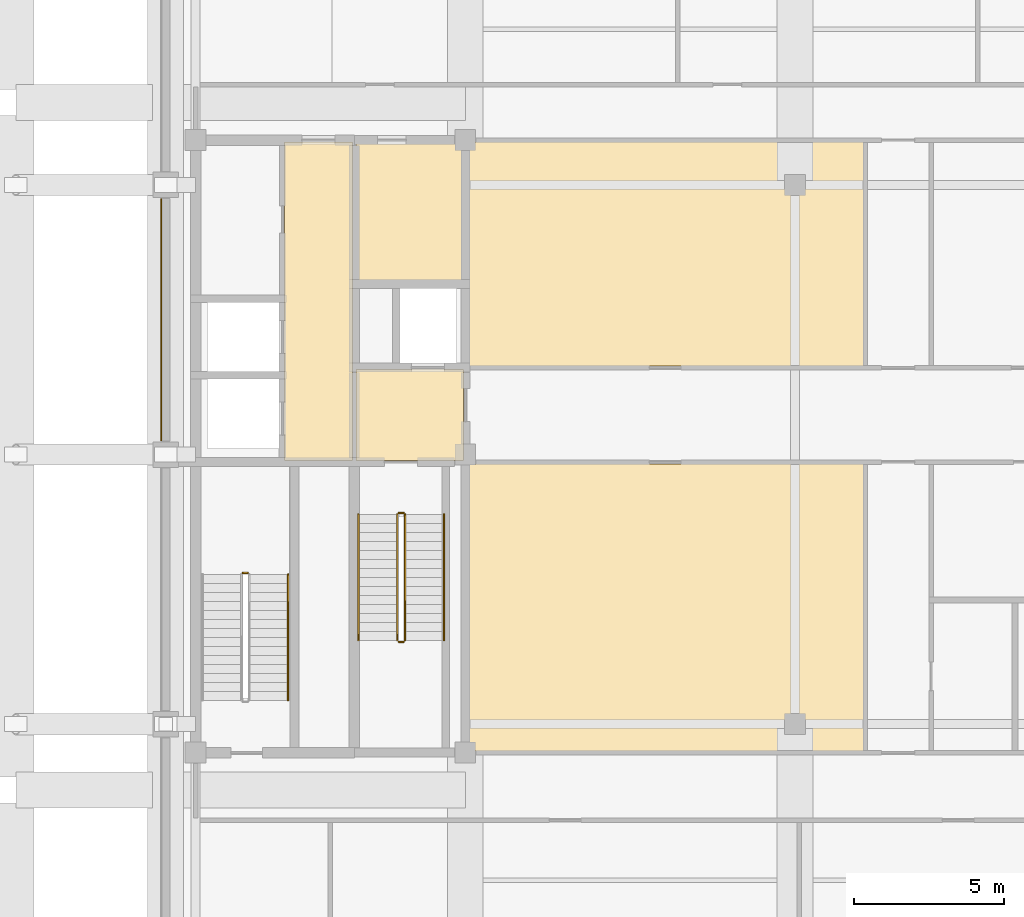
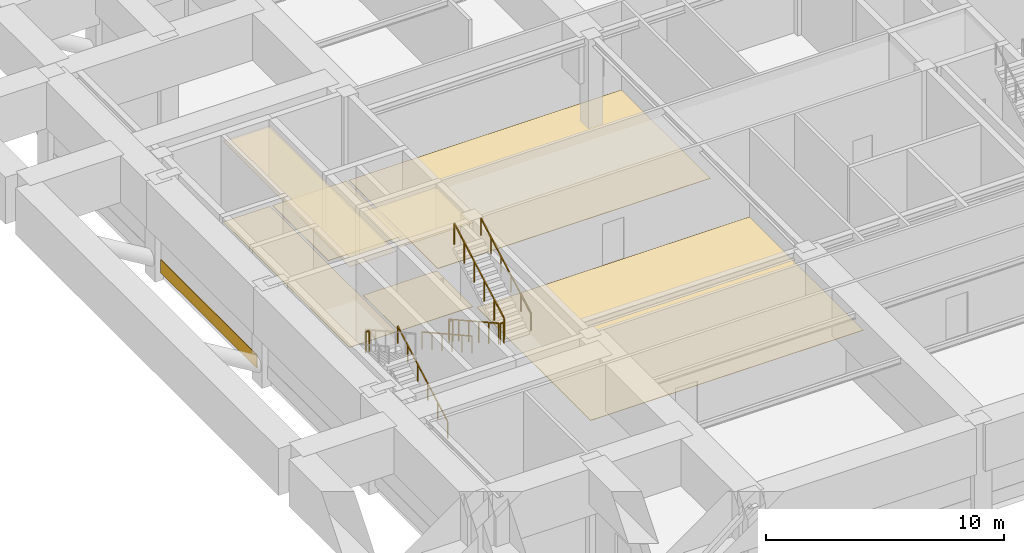
# One storey, part 8 of 11: 8 coverings, 8 railings.
"""IFC4 building model written with IfcOpenShell, lengths in metres."""

from ifc_helpers import new_model, si_unit, direction, frame, frame_2d, origin, origin_2d, place, context, subcontext, project, spatial, polyline, rectangle, outline, extrude, material, layer, layer_set, type_object, element, save


model = new_model("IFC4")

# Units and contexts
model_context = context("Model", 3, precision=1e-05, world=origin(), true_north=direction((0.0, 1.0)))
body_context = subcontext(model_context, "Body", "Model", "MODEL_VIEW")
ifc_project = project(units=[si_unit("LENGTHUNIT", "METRE"), si_unit("AREAUNIT", "SQUARE_METRE"), si_unit("VOLUMEUNIT", "CUBIC_METRE"), si_unit("PLANEANGLEUNIT", "RADIAN"), si_unit("MASSUNIT", "GRAM", prefix="KILO")], contexts=[model_context])

# Site, building, storey
site_placement = place(None, origin())
site = spatial("IfcSite", under=ifc_project, at=site_placement, CompositionType="ELEMENT")
building_placement = place(site_placement, origin())
building = spatial("IfcBuilding", under=site, at=building_placement, Name="Zulmaris Gate Convention Tower", CompositionType="ELEMENT")
storey_placement = place(building_placement, frame((0.0, 0.0, 249.429931640625)))
storey = spatial("IfcBuildingStorey", under=building, at=storey_placement, Name="L66", CompositionType="ELEMENT", Elevation=249.429931640625)

# Coverings
ifc_material_1 = material(Name="Precast concrete C40/50", Category="concrete")
ifc_layer_1 = layer(ifc_material_1, 0.0400390625, Name="Precast concrete C40/50")
ifc_layer_set_1 = layer_set([ifc_layer_1], Name="Precast concrete C40/50")
covering_type_1 = type_object("IfcCoveringType", Name="CLAD-SPANDREL-PRECAST", PredefinedType="CLADDING", material=ifc_layer_set_1)
covering_1_placement = place(storey_placement, frame((-21.14990234375, 8.544921875, 0.0), z_axis=(0.0, 0.0, 1.0), x_axis=(0.0, -1.0, 0.0)))
element("IfcCovering", 1, at=covering_1_placement, inside=storey, type_object=covering_type_1, Name="CLD-L66-W-2_0", PredefinedType="CLADDING", context=body_context, shape_type="SweptSolid", body=[
    extrude(rectangle(XDim=8.08984375, YDim=0.0400390625, at=frame_2d((4.044921875, 0.0))), origin(), (0.0, 0.0, 1.0), 0.679931640625),
])
ifc_material_2 = material(Name="Mineral Fibre Acoustic Ceiling Tile")
ifc_layer_2 = layer(ifc_material_2, 0.02001953125, Name="Mineral Fibre Acoustic Ceiling Tile")
ifc_layer_set_2 = layer_set([ifc_layer_2], Name="Mineral Fibre Acoustic Ceiling Tile")
covering_type_2 = type_object("IfcCoveringType", Name="CLG-ACOUSTIC-600", PredefinedType="CEILING", material=ifc_layer_set_2)
covering_2_placement = place(storey_placement, frame((0.0, 0.0, 4.294921875)))
element("IfcCovering", 2, at=covering_2_placement, inside=storey, type_object=covering_type_2, Name="CLG-L66-R03", PredefinedType="CEILING", context=body_context, shape_type="SweptSolid", body=[
    extrude(outline(polyline([(-14.639892578125, -0.18994140625), (-11.06005859375, -0.18994140625), (-11.06005859375, 2.840087890625), (-14.639892578125, 2.840087890625), (-14.639892578125, -0.18994140625)])), origin(), (0.0, 0.0, 1.0), 0.02001953125),
])
covering_3_placement = place(storey_placement, frame((0.0, 0.0, 4.133056640625)))
element("IfcCovering", 3, at=covering_3_placement, inside=storey, type_object=covering_type_2, Name="CLG-L66-R17", PredefinedType="CEILING", context=body_context, shape_type="SweptSolid", body=[
    extrude(outline(polyline([(-17.0400390625, -0.18994140625), (-14.760009765625, -0.18994140625), (-14.760009765625, 10.43994140625), (-17.0400390625, 10.43994140625), (-17.0400390625, -0.18994140625)])), origin(), (0.0, 0.0, 1.0), 0.02001953125),
])
ifc_material_3 = material(Name="Woven Acoustic Wool Carpet Tile")
ifc_layer_3 = layer(ifc_material_3, 0.02001953125, Name="Woven Acoustic Wool Carpet Tile")
ifc_layer_set_3 = layer_set([ifc_layer_3], Name="Woven Acoustic Wool Carpet Tile")
covering_type_3 = type_object("IfcCoveringType", Name="FLR-CARPET-12", PredefinedType="FLOORING", material=ifc_layer_set_3)
covering_4_placement = place(storey_placement, origin())
element("IfcCovering", 4, at=covering_4_placement, inside=storey, type_object=covering_type_3, Name="FLR-L66-R03", PredefinedType="FLOORING", context=body_context, shape_type="SweptSolid", body=[
    extrude(outline(polyline([(-14.639892578125, -0.18994140625), (-11.06005859375, -0.18994140625), (-11.06005859375, 2.840087890625), (-14.639892578125, 2.840087890625), (-14.639892578125, -0.18994140625)])), origin(), (0.0, 0.0, 1.0), 0.02001953125),
])
covering_5_placement = place(storey_placement, origin())
element("IfcCovering", 5, at=covering_5_placement, inside=storey, type_object=covering_type_3, Name="FLR-L66-R11", PredefinedType="FLOORING", context=body_context, shape_type="SweptSolid", body=[
    extrude(outline(polyline([(-14.639892578125, 5.760009765625), (-11.06005859375, 5.760009765625), (-11.06005859375, 10.43994140625), (-14.639892578125, 10.43994140625), (-14.639892578125, 5.760009765625)])), origin(), (0.0, 0.0, 1.0), 0.02001953125),
])
covering_6_placement = place(storey_placement, origin())
element("IfcCovering", 6, at=covering_6_placement, inside=storey, type_object=covering_type_3, Name="FLR-L66-R17", PredefinedType="FLOORING", context=body_context, shape_type="SweptSolid", body=[
    extrude(outline(polyline([(-17.0400390625, -0.18994140625), (-14.760009765625, -0.18994140625), (-14.760009765625, 10.43994140625), (-17.0400390625, 10.43994140625), (-17.0400390625, -0.18994140625)])), origin(), (0.0, 0.0, 1.0), 0.02001953125),
])
covering_7_placement = place(storey_placement, origin())
element("IfcCovering", 7, at=covering_7_placement, inside=storey, type_object=covering_type_3, Name="FLR-L66-R36", PredefinedType="FLOORING", context=body_context, shape_type="SweptSolid", body=[
    extrude(outline(polyline([(-10.93994140625, -9.889892578125), (2.2900390625, -9.889892578125), (2.2900390625, -0.31005859375), (-10.93994140625, -0.31005859375), (-10.93994140625, -9.889892578125)])), origin(), (0.0, 0.0, 1.0), 0.02001953125),
])
ifc_material_4 = material(Name="Polished Granite Terrazzo Tile", Category="masonry")
ifc_layer_4 = layer(ifc_material_4, 0.02001953125, Name="Polished Granite Terrazzo Tile")
ifc_layer_set_4 = layer_set([ifc_layer_4], Name="Polished Granite Terrazzo Tile")
covering_type_4 = type_object("IfcCoveringType", Name="FLR-TERRAZZO-30", PredefinedType="FLOORING", material=ifc_layer_set_4)
covering_8_placement = place(storey_placement, origin())
element("IfcCovering", 8, at=covering_8_placement, inside=storey, type_object=covering_type_4, Name="FLR-L66-R34", PredefinedType="FLOORING", context=body_context, shape_type="SweptSolid", body=[
    extrude(outline(polyline([(-10.93994140625, 2.9599609375), (2.2900390625, 2.9599609375), (2.2900390625, 10.43994140625), (-10.93994140625, 10.43994140625), (-10.93994140625, 2.9599609375)])), origin(), (0.0, 0.0, 1.0), 0.02001953125),
])

# Railings
ifc_material_5 = material(Name="Painted Galvanised Steel", Category="steel")
railing_type_1 = type_object("IfcRailingType", Name="RL-STG-1150", PredefinedType="GUARDRAIL", material=ifc_material_5)
railing_1_placement = place(storey_placement, frame((-13.27001953125, -2.0, 0.166748046875)))
element("IfcRailing", 9, at=railing_1_placement, inside=storey, type_object=railing_type_1, Name="L66 ST-1 stair guard 1", PredefinedType="GUARDRAIL", context=body_context, shape_type="SweptSolid", body=[
    extrude(rectangle(XDim=0.048095703125, YDim=0.048095703125, at=origin_2d()), frame((0.0, 0.0, 1.076171875), z_axis=(0.0, -0.874162069901, 0.485634302275), x_axis=(1.0, 0.0, 0.0)), (0.0, 0.0, 1.0), 4.804443359375),
    extrude(rectangle(XDim=0.0419921875, YDim=0.0419921875, at=origin_2d()), origin(), (0.0, 0.0, 1.0), 1.052001953125),
    extrude(rectangle(XDim=0.0419921875, YDim=0.0419921875, at=origin_2d()), frame((0.0, -0.840087890625, 0.466552734375)), (0.0, 0.0, 1.0), 1.052001953125),
    extrude(rectangle(XDim=0.0419921875, YDim=0.0419921875, at=origin_2d()), frame((0.0, -1.679931640625, 0.933349609375)), (0.0, 0.0, 1.0), 1.052001953125),
    extrude(rectangle(XDim=0.0419921875, YDim=0.0419921875, at=origin_2d()), frame((0.0, -2.52001953125, 1.39990234375)), (0.0, 0.0, 1.0), 1.052001953125),
    extrude(rectangle(XDim=0.0419921875, YDim=0.0419921875, at=origin_2d()), frame((0.0, -3.35986328125, 1.86669921875)), (0.0, 0.0, 1.0), 1.052001953125),
    extrude(rectangle(XDim=0.0419921875, YDim=0.0419921875, at=origin_2d()), frame((0.0, -4.199951171875, 2.333251953125)), (0.0, 0.0, 1.0), 1.052001953125),
])
railing_2_placement = place(storey_placement, frame((-13.219970703125, -6.25, 2.5)))
element("IfcRailing", 10, at=railing_2_placement, inside=storey, type_object=railing_type_1, Name="L66 ST-1 stair guard 2", PredefinedType="GUARDRAIL", context=body_context, shape_type="SweptSolid", body=[
    extrude(rectangle(XDim=0.048095703125, YDim=0.048095703125, at=origin_2d()), frame((0.0, 0.0, 1.076171875), z_axis=(1.0, 0.0, 0.0), x_axis=(0.0, 1.0, 0.0)), (0.0, 0.0, 1.0), 0.159912109375),
    extrude(rectangle(XDim=0.0419921875, YDim=0.0419921875, at=origin_2d()), origin(), (0.0, 0.0, 1.0), 1.052001953125),
    extrude(rectangle(XDim=0.0419921875, YDim=0.0419921875, at=origin_2d()), frame((0.159912109375, 0.0, 0.0)), (0.0, 0.0, 1.0), 1.052001953125),
])
railing_3_placement = place(storey_placement, frame((-13.010009765625, -6.199951171875, 2.666748046875)))
element("IfcRailing", 11, at=railing_3_placement, inside=storey, type_object=railing_type_1, Name="L66 ST-1 stair guard 3", PredefinedType="GUARDRAIL", context=body_context, shape_type="SweptSolid", body=[
    extrude(rectangle(XDim=0.048095703125, YDim=0.048095703125, at=origin_2d()), frame((0.0, 0.0, 1.076171875), z_axis=(0.0, 0.874162069901, 0.485634302275), x_axis=(-1.0, 0.0, 0.0)), (0.0, 0.0, 1.0), 4.804443359375),
    extrude(rectangle(XDim=0.0419921875, YDim=0.0419921875, at=origin_2d()), origin(), (0.0, 0.0, 1.0), 1.052001953125),
    extrude(rectangle(XDim=0.0419921875, YDim=0.0419921875, at=origin_2d()), frame((0.0, 0.840087890625, 0.466552734375)), (0.0, 0.0, 1.0), 1.052001953125),
    extrude(rectangle(XDim=0.0419921875, YDim=0.0419921875, at=origin_2d()), frame((0.0, 1.679931640625, 0.933349609375)), (0.0, 0.0, 1.0), 1.052001953125),
    extrude(rectangle(XDim=0.0419921875, YDim=0.0419921875, at=origin_2d()), frame((0.0, 2.52001953125, 1.39990234375)), (0.0, 0.0, 1.0), 1.052001953125),
    extrude(rectangle(XDim=0.0419921875, YDim=0.0419921875, at=origin_2d()), frame((0.0, 3.35986328125, 1.86669921875)), (0.0, 0.0, 1.0), 1.052001953125),
    extrude(rectangle(XDim=0.0419921875, YDim=0.0419921875, at=origin_2d()), frame((0.0, 4.199951171875, 2.333251953125)), (0.0, 0.0, 1.0), 1.052001953125),
])
railing_4_placement = place(storey_placement, frame((-13.219970703125, -1.949951171875, 0.0)))
element("IfcRailing", 12, at=railing_4_placement, inside=storey, type_object=railing_type_1, Name="L66 ST-1 stair guard 4", PredefinedType="GUARDRAIL", context=body_context, shape_type="SweptSolid", body=[
    extrude(rectangle(XDim=0.048095703125, YDim=0.048095703125, at=origin_2d()), frame((0.0, 0.0, 1.076171875), z_axis=(1.0, 0.0, 0.0), x_axis=(0.0, 1.0, 0.0)), (0.0, 0.0, 1.0), 0.159912109375),
    extrude(rectangle(XDim=0.0419921875, YDim=0.0419921875, at=origin_2d()), origin(), (0.0, 0.0, 1.0), 1.052001953125),
    extrude(rectangle(XDim=0.0419921875, YDim=0.0419921875, at=origin_2d()), frame((0.159912109375, 0.0, 0.0)), (0.0, 0.0, 1.0), 1.052001953125),
])
railing_5_placement = place(storey_placement, frame((-18.260009765625, -3.949951171875, 2.5)))
element("IfcRailing", 13, at=railing_5_placement, inside=storey, type_object=railing_type_1, Name="L66 ST-3 stair guard 2", PredefinedType="GUARDRAIL", context=body_context, shape_type="SweptSolid", body=[
    extrude(rectangle(XDim=0.048095703125, YDim=0.048095703125, at=origin_2d()), frame((0.0, 0.0, 1.076171875), z_axis=(-1.0, 0.0, 0.0), x_axis=(0.0, -1.0, 0.0)), (0.0, 0.0, 1.0), 0.159912109375),
    extrude(rectangle(XDim=0.0419921875, YDim=0.0419921875, at=origin_2d()), origin(), (0.0, 0.0, 1.0), 1.052001953125),
    extrude(rectangle(XDim=0.0419921875, YDim=0.0419921875, at=origin_2d()), frame((-0.159912109375, 0.0, 0.0)), (0.0, 0.0, 1.0), 1.052001953125),
])
ifc_material_6 = material(Name="Brushed Stainless Steel", Category="steel")
railing_type_2 = type_object("IfcRailingType", Name="RL-STH-900", PredefinedType="HANDRAIL", material=ifc_material_6)
railing_6_placement = place(storey_placement, frame((-14.570068359375, -2.0, 0.166748046875)))
element("IfcRailing", 14, at=railing_6_placement, inside=storey, type_object=railing_type_2, Name="L66 ST-1 stair handrail 1", PredefinedType="HANDRAIL", context=body_context, shape_type="SweptSolid", body=[
    extrude(rectangle(XDim=0.048095703125, YDim=0.048095703125, at=origin_2d()), frame((0.0, 0.0, 0.8759765625), z_axis=(0.0, -0.874162069901, 0.485634302275), x_axis=(1.0, 0.0, 0.0)), (0.0, 0.0, 1.0), 4.804443359375),
    extrude(rectangle(XDim=0.0419921875, YDim=0.0419921875, at=origin_2d()), origin(), (0.0, 0.0, 1.0), 0.851806640625),
    extrude(rectangle(XDim=0.0419921875, YDim=0.0419921875, at=origin_2d()), frame((0.0, -0.840087890625, 0.466552734375)), (0.0, 0.0, 1.0), 0.851806640625),
    extrude(rectangle(XDim=0.0419921875, YDim=0.0419921875, at=origin_2d()), frame((0.0, -1.679931640625, 0.933349609375)), (0.0, 0.0, 1.0), 0.851806640625),
    extrude(rectangle(XDim=0.0419921875, YDim=0.0419921875, at=origin_2d()), frame((0.0, -2.52001953125, 1.39990234375)), (0.0, 0.0, 1.0), 0.851806640625),
    extrude(rectangle(XDim=0.0419921875, YDim=0.0419921875, at=origin_2d()), frame((0.0, -3.35986328125, 1.86669921875)), (0.0, 0.0, 1.0), 0.851806640625),
    extrude(rectangle(XDim=0.0419921875, YDim=0.0419921875, at=origin_2d()), frame((0.0, -4.199951171875, 2.333251953125)), (0.0, 0.0, 1.0), 0.851806640625),
])
for number, where, name in (
    (15, (-11.7099609375, -6.199951171875, 2.666748046875), "L66 ST-1 stair handrail 2"),
    (16, (-16.909912109375, -8.199951171875, 0.166748046875), "L66 ST-3 stair handrail 1"),
):
    element("IfcRailing", number, at=place(storey_placement, frame(where)), inside=storey, type_object=railing_type_2, Name=name, PredefinedType="HANDRAIL", context=body_context, shape_type="SweptSolid", body=[
        extrude(rectangle(XDim=0.048095703125, YDim=0.048095703125, at=origin_2d()), frame((0.0, 0.0, 0.8759765625), z_axis=(0.0, 0.874162069901, 0.485634302275), x_axis=(-1.0, 0.0, 0.0)), (0.0, 0.0, 1.0), 4.804443359375),
        extrude(rectangle(XDim=0.0419921875, YDim=0.0419921875, at=origin_2d()), origin(), (0.0, 0.0, 1.0), 0.851806640625),
        extrude(rectangle(XDim=0.0419921875, YDim=0.0419921875, at=origin_2d()), frame((0.0, 0.840087890625, 0.466552734375)), (0.0, 0.0, 1.0), 0.851806640625),
        extrude(rectangle(XDim=0.0419921875, YDim=0.0419921875, at=origin_2d()), frame((0.0, 1.679931640625, 0.933349609375)), (0.0, 0.0, 1.0), 0.851806640625),
        extrude(rectangle(XDim=0.0419921875, YDim=0.0419921875, at=origin_2d()), frame((0.0, 2.52001953125, 1.39990234375)), (0.0, 0.0, 1.0), 0.851806640625),
        extrude(rectangle(XDim=0.0419921875, YDim=0.0419921875, at=origin_2d()), frame((0.0, 3.35986328125, 1.86669921875)), (0.0, 0.0, 1.0), 0.851806640625),
        extrude(rectangle(XDim=0.0419921875, YDim=0.0419921875, at=origin_2d()), frame((0.0, 4.199951171875, 2.333251953125)), (0.0, 0.0, 1.0), 0.851806640625),
    ])

save(model, "model.ifc")
